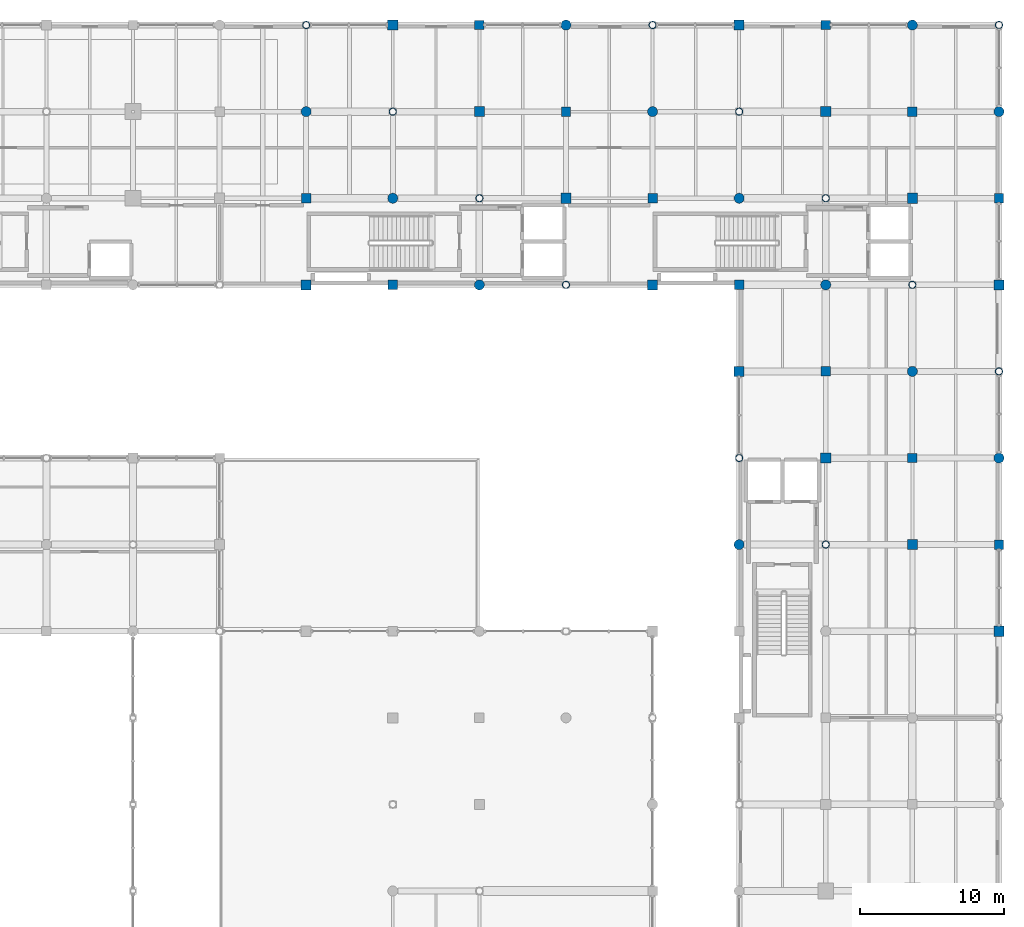
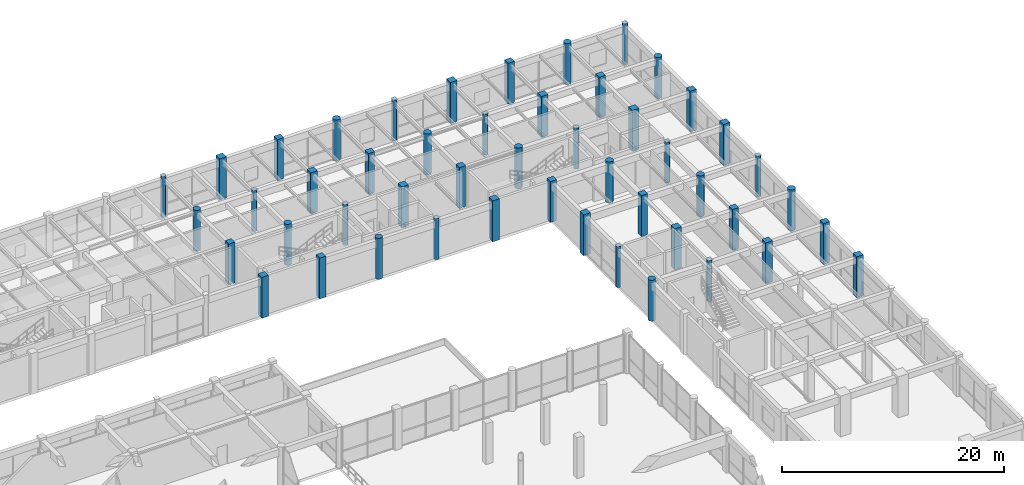
# One storey, part 13 of 116: 49 columns.
"""IFC4 building model written with IfcOpenShell, lengths in metres."""

from ifc_helpers import new_model, si_unit, direction, frame, origin, origin_2d, place, context, subcontext, project, spatial, rectangle, circle, hollow_circle, extrude, material, material_profile, profile_set, type_object, element, save


model = new_model("IFC4")

# Units and contexts
model_context = context("Model", 3, precision=1e-05, world=origin(), true_north=direction((0.0, 1.0)))
body_context = subcontext(model_context, "Body", "Model", "MODEL_VIEW")
ifc_project = project(units=[si_unit("LENGTHUNIT", "METRE"), si_unit("AREAUNIT", "SQUARE_METRE"), si_unit("VOLUMEUNIT", "CUBIC_METRE"), si_unit("PLANEANGLEUNIT", "RADIAN"), si_unit("MASSUNIT", "GRAM", prefix="KILO"), si_unit("THERMODYNAMICTEMPERATUREUNIT", "KELVIN"), si_unit("POWERUNIT", "WATT")], contexts=[model_context])

# Site, building, storey
site_placement = place(None, origin())
site = spatial("IfcSite", under=ifc_project, at=site_placement, CompositionType="ELEMENT")
building_placement = place(site_placement, origin())
building = spatial("IfcBuilding", under=site, at=building_placement, Name="Phaisarnlok Congress Hotel", CompositionType="ELEMENT")
storey_placement = place(building_placement, frame((0.0, 0.0, 10.5)))
storey = spatial("IfcBuildingStorey", under=building, at=storey_placement, Name="L02", CompositionType="ELEMENT", Elevation=10.5)

# Columns
ifc_material_1 = material(Name="Concrete C50/60", Category="concrete")
ifc_material_profile_1 = material_profile(ifc_material_1, rectangle(XDim=0.64990234375, YDim=0.64990234375, at=origin_2d()), Name="RC 650x650")
ifc_profile_set_1 = profile_set([ifc_material_profile_1], Name="Concrete C50/60")
column_type_1 = type_object("IfcColumnType", Name="COL-RC-650", PredefinedType="COLUMN", material=ifc_profile_set_1)
for number, where, z_axis, x_axis, name in (
    (1, (132.0, 114.0, 0.0), (0.0, 0.0, 1.0), (1.0, 0.0, 0.0), "Column C-04 (L02)"),
    (2, (138.0, 108.0, 0.0), (0.0, 0.0, 1.0), (1.0, 0.0, 0.0), "Column C-04 (L02)"),
    (3, (150.0, 120.0, 0.0), (0.0, 0.0, 1.0), (1.0, 0.0, 0.0), "Column C-04 (L02)"),
    (4, (156.0, 114.0, 0.0), (0.0, 0.0, 1.0), (1.0, 0.0, 0.0), "Column C-04 (L02)"),
    (5, (162.0, 108.0, 0.0), (0.0, 0.0, 1.0), (1.0, 0.0, 0.0), "Column C-04 (L02)"),
    (6, (168.0, 102.0, 0.0), (0.0, 0.0, 1.0), (1.0, 0.0, 0.0), "Column C-04 (L02)"),
    (7, (174.0, 96.0, 0.0), (0.0, 0.0, 1.0), (1.0, 0.0, 0.0), "Column C-04 (L02)"),
    (8, (174.0, 120.0, 0.0), (0.0, 0.0, 1.0), (1.0, 0.0, 0.0), "Column C-04 (L02)"),
):
    element("IfcColumn", number, at=place(storey_placement, frame(where, z_axis=z_axis, x_axis=x_axis)), inside=storey, type_object=column_type_1, Name=name, PredefinedType="COLUMN", context=body_context, shape_type="SweptSolid", body=[
        extrude(rectangle(XDim=0.64990234375, YDim=0.64990234375, at=origin_2d()), origin(), (0.0, 0.0, 1.0), 4.5),
    ])
ifc_material_profile_2 = material_profile(ifc_material_1, rectangle(XDim=0.64990234375, YDim=0.64990234375, at=origin_2d()), Name="RC 650x650")
ifc_profile_set_2 = profile_set([ifc_material_profile_2], Name="Concrete C50/60")
column_type_2 = type_object("IfcColumnType", Name="COL-RC-650-EXT", PredefinedType="COLUMN", material=ifc_profile_set_2)
for number, where, z_axis, x_axis, name in (
    (9, (144.0, 126.0, 0.0), (0.0, 0.0, 1.0), (1.0, 0.0, 0.0), "Column C-04E (L02)"),
    (10, (168.0, 126.0, 0.0), (0.0, 0.0, 1.0), (1.0, 0.0, 0.0), "Column C-04E (L02)"),
    (11, (180.0, 90.0, 0.0), (0.0, 0.0, 1.0), (1.0, 0.0, 0.0), "Column C-04E (L02)"),
    (12, (180.0, 114.0, 0.0), (0.0, 0.0, 1.0), (1.0, 0.0, 0.0), "Column C-04E (L02)"),
):
    element("IfcColumn", number, at=place(storey_placement, frame(where, z_axis=z_axis, x_axis=x_axis)), inside=storey, type_object=column_type_2, Name=name, PredefinedType="COLUMN", context=body_context, shape_type="SweptSolid", body=[
        extrude(rectangle(XDim=0.64990234375, YDim=0.64990234375, at=origin_2d()), origin(), (0.0, 0.0, 1.0), 4.5),
    ])
ifc_material_profile_3 = material_profile(ifc_material_1, rectangle(XDim=0.699951171875, YDim=0.699951171875, at=origin_2d()), Name="RC 700x700")
ifc_profile_set_3 = profile_set([ifc_material_profile_3], Name="Concrete C50/60")
column_type_3 = type_object("IfcColumnType", Name="COL-RC-700", PredefinedType="COLUMN", material=ifc_profile_set_3)
for number, where, z_axis, x_axis, name in (
    (13, (132.0, 108.0, 0.0), (0.0, 0.0, 1.0), (1.0, 0.0, 0.0), "Column C-05 (L02)"),
    (14, (144.0, 120.0, 0.0), (0.0, 0.0, 1.0), (1.0, 0.0, 0.0), "Column C-05 (L02)"),
    (15, (150.0, 114.0, 0.0), (0.0, 0.0, 1.0), (1.0, 0.0, 0.0), "Column C-05 (L02)"),
    (16, (156.0, 108.0, 0.0), (0.0, 0.0, 1.0), (1.0, 0.0, 0.0), "Column C-05 (L02)"),
    (17, (162.0, 102.0, 0.0), (0.0, 0.0, 1.0), (1.0, 0.0, 0.0), "Column C-05 (L02)"),
    (18, (168.0, 96.0, 0.0), (0.0, 0.0, 1.0), (1.0, 0.0, 0.0), "Column C-05 (L02)"),
    (19, (168.0, 120.0, 0.0), (0.0, 0.0, 1.0), (1.0, 0.0, 0.0), "Column C-05 (L02)"),
    (20, (174.0, 90.0, 0.0), (0.0, 0.0, 1.0), (1.0, 0.0, 0.0), "Column C-05 (L02)"),
    (21, (174.0, 114.0, 0.0), (0.0, 0.0, 1.0), (1.0, 0.0, 0.0), "Column C-05 (L02)"),
):
    element("IfcColumn", number, at=place(storey_placement, frame(where, z_axis=z_axis, x_axis=x_axis)), inside=storey, type_object=column_type_3, Name=name, PredefinedType="COLUMN", context=body_context, shape_type="SweptSolid", body=[
        extrude(rectangle(XDim=0.699951171875, YDim=0.699951171875, at=origin_2d()), origin(), (0.0, 0.0, 1.0), 4.5),
    ])
ifc_material_profile_4 = material_profile(ifc_material_1, rectangle(XDim=0.699951171875, YDim=0.699951171875, at=origin_2d()), Name="RC 700x700")
ifc_profile_set_4 = profile_set([ifc_material_profile_4], Name="Concrete C50/60")
column_type_4 = type_object("IfcColumnType", Name="COL-RC-700-EXT", PredefinedType="COLUMN", material=ifc_profile_set_4)
for number, where, z_axis, x_axis, name in (
    (22, (138.0, 126.0, 0.0), (0.0, 0.0, 1.0), (1.0, 0.0, 0.0), "Column C-05E (L02)"),
    (23, (162.0, 126.0, 0.0), (0.0, 0.0, 1.0), (1.0, 0.0, 0.0), "Column C-05E (L02)"),
    (24, (180.0, 84.0, 0.0), (0.0, 0.0, 1.0), (1.0, 0.0, 0.0), "Column C-05E (L02)"),
    (25, (180.0, 108.0, 0.0), (0.0, 0.0, 1.0), (1.0, 0.0, 0.0), "Column C-05E (L02)"),
):
    element("IfcColumn", number, at=place(storey_placement, frame(where, z_axis=z_axis, x_axis=x_axis)), inside=storey, type_object=column_type_4, Name=name, PredefinedType="COLUMN", context=body_context, shape_type="SweptSolid", body=[
        extrude(rectangle(XDim=0.699951171875, YDim=0.699951171875, at=origin_2d()), origin(), (0.0, 0.0, 1.0), 4.5),
    ])
ifc_material_profile_5 = material_profile(ifc_material_1, circle(Radius=0.35009765625, at=origin_2d()), Name="RCC D700")
ifc_profile_set_5 = profile_set([ifc_material_profile_5], Name="Concrete C50/60")
column_type_5 = type_object("IfcColumnType", Name="COL-RCC-700", PredefinedType="COLUMN", material=ifc_profile_set_5)
for number, where, z_axis, x_axis, name in (
    (26, (132.0, 120.0, 0.0), (0.0, 0.0, 1.0), (1.0, 0.0, 0.0), "Column C-13 (L02)"),
    (27, (138.0, 114.0, 0.0), (0.0, 0.0, 1.0), (1.0, 0.0, 0.0), "Column C-13 (L02)"),
    (28, (144.0, 108.0, 0.0), (0.0, 0.0, 1.0), (1.0, 0.0, 0.0), "Column C-13 (L02)"),
    (29, (156.0, 120.0, 0.0), (0.0, 0.0, 1.0), (1.0, 0.0, 0.0), "Column C-13 (L02)"),
    (30, (162.0, 90.0, 0.0), (0.0, 0.0, 1.0), (1.0, 0.0, 0.0), "Column C-13 (L02)"),
    (31, (162.0, 114.0, 0.0), (0.0, 0.0, 1.0), (1.0, 0.0, 0.0), "Column C-13 (L02)"),
    (32, (168.0, 108.0, 0.0), (0.0, 0.0, 1.0), (1.0, 0.0, 0.0), "Column C-13 (L02)"),
    (33, (174.0, 102.0, 0.0), (0.0, 0.0, 1.0), (1.0, 0.0, 0.0), "Column C-13 (L02)"),
):
    element("IfcColumn", number, at=place(storey_placement, frame(where, z_axis=z_axis, x_axis=x_axis)), inside=storey, type_object=column_type_5, Name=name, PredefinedType="COLUMN", context=body_context, shape_type="SweptSolid", body=[
        extrude(circle(Radius=0.35009765625, at=origin_2d()), origin(), (0.0, 0.0, 1.0), 4.5),
    ])
ifc_material_profile_6 = material_profile(ifc_material_1, circle(Radius=0.35009765625, at=origin_2d()), Name="RCC D700")
ifc_profile_set_6 = profile_set([ifc_material_profile_6], Name="Concrete C50/60")
column_type_6 = type_object("IfcColumnType", Name="COL-RCC-700-EXT", PredefinedType="COLUMN", material=ifc_profile_set_6)
for number, where, z_axis, x_axis, name in (
    (34, (150.0, 126.0, 0.0), (0.0, 0.0, 1.0), (1.0, 0.0, 0.0), "Column C-13E (L02)"),
    (35, (174.0, 126.0, 0.0), (0.0, 0.0, 1.0), (1.0, 0.0, 0.0), "Column C-13E (L02)"),
    (36, (180.0, 96.0, 0.0), (0.0, 0.0, 1.0), (1.0, 0.0, 0.0), "Column C-13E (L02)"),
    (37, (180.0, 120.0, 0.0), (0.0, 0.0, 1.0), (1.0, 0.0, 0.0), "Column C-13E (L02)"),
):
    element("IfcColumn", number, at=place(storey_placement, frame(where, z_axis=z_axis, x_axis=x_axis)), inside=storey, type_object=column_type_6, Name=name, PredefinedType="COLUMN", context=body_context, shape_type="SweptSolid", body=[
        extrude(circle(Radius=0.35009765625, at=origin_2d()), origin(), (0.0, 0.0, 1.0), 4.5),
    ])
ifc_material_2 = material(Name="Steel S355", Category="steel")
ifc_material_profile_7 = material_profile(ifc_material_2, hollow_circle(Radius=0.25390625, WallThickness=0.02490234375, at=origin_2d()), Name="CHS 508x25")
ifc_profile_set_7 = profile_set([ifc_material_profile_7], Name="Steel S355")
column_type_7 = type_object("IfcColumnType", Name="COL-STL-CHS508", PredefinedType="COLUMN", material=ifc_profile_set_7)
for number, where, z_axis, x_axis, name in (
    (38, (138.0, 120.0, 0.0), (0.0, 0.0, 1.0), (1.0, 0.0, 0.0), "Column SC-03 (L02)"),
    (39, (144.0, 114.0, 0.0), (0.0, 0.0, 1.0), (1.0, 0.0, 0.0), "Column SC-03 (L02)"),
    (40, (150.0, 108.0, 0.0), (0.0, 0.0, 1.0), (1.0, 0.0, 0.0), "Column SC-03 (L02)"),
    (41, (162.0, 96.0, 0.0), (0.0, 0.0, 1.0), (1.0, 0.0, 0.0), "Column SC-03 (L02)"),
    (42, (162.0, 120.0, 0.0), (0.0, 0.0, 1.0), (1.0, 0.0, 0.0), "Column SC-03 (L02)"),
    (43, (168.0, 90.0, 0.0), (0.0, 0.0, 1.0), (1.0, 0.0, 0.0), "Column SC-03 (L02)"),
    (44, (168.0, 114.0, 0.0), (0.0, 0.0, 1.0), (1.0, 0.0, 0.0), "Column SC-03 (L02)"),
    (45, (174.0, 108.0, 0.0), (0.0, 0.0, 1.0), (1.0, 0.0, 0.0), "Column SC-03 (L02)"),
):
    element("IfcColumn", number, at=place(storey_placement, frame(where, z_axis=z_axis, x_axis=x_axis)), inside=storey, type_object=column_type_7, Name=name, PredefinedType="COLUMN", context=body_context, shape_type="SweptSolid", body=[
        extrude(hollow_circle(Radius=0.25390625, WallThickness=0.02490234375, at=origin_2d()), origin(), (0.0, 0.0, 1.0), 4.5),
    ])
ifc_material_profile_8 = material_profile(ifc_material_2, hollow_circle(Radius=0.25390625, WallThickness=0.02490234375, at=origin_2d()), Name="CHS 508x25")
ifc_profile_set_8 = profile_set([ifc_material_profile_8], Name="Steel S355")
column_type_8 = type_object("IfcColumnType", Name="COL-STL-CHS508-EXT", PredefinedType="COLUMN", material=ifc_profile_set_8)
for number, where, z_axis, x_axis, name in (
    (46, (132.0, 126.0, 0.0), (0.0, 0.0, 1.0), (1.0, 0.0, 0.0), "Column SC-03E (L02)"),
    (47, (156.0, 126.0, 0.0), (0.0, 0.0, 1.0), (1.0, 0.0, 0.0), "Column SC-03E (L02)"),
    (48, (180.0, 102.0, 0.0), (0.0, 0.0, 1.0), (1.0, 0.0, 0.0), "Column SC-03E (L02)"),
    (49, (180.0, 126.0, 0.0), (0.0, 0.0, 1.0), (1.0, 0.0, 0.0), "Column SC-03E (L02)"),
):
    element("IfcColumn", number, at=place(storey_placement, frame(where, z_axis=z_axis, x_axis=x_axis)), inside=storey, type_object=column_type_8, Name=name, PredefinedType="COLUMN", context=body_context, shape_type="SweptSolid", body=[
        extrude(hollow_circle(Radius=0.25390625, WallThickness=0.02490234375, at=origin_2d()), origin(), (0.0, 0.0, 1.0), 4.5),
    ])

save(model, "model.ifc")
